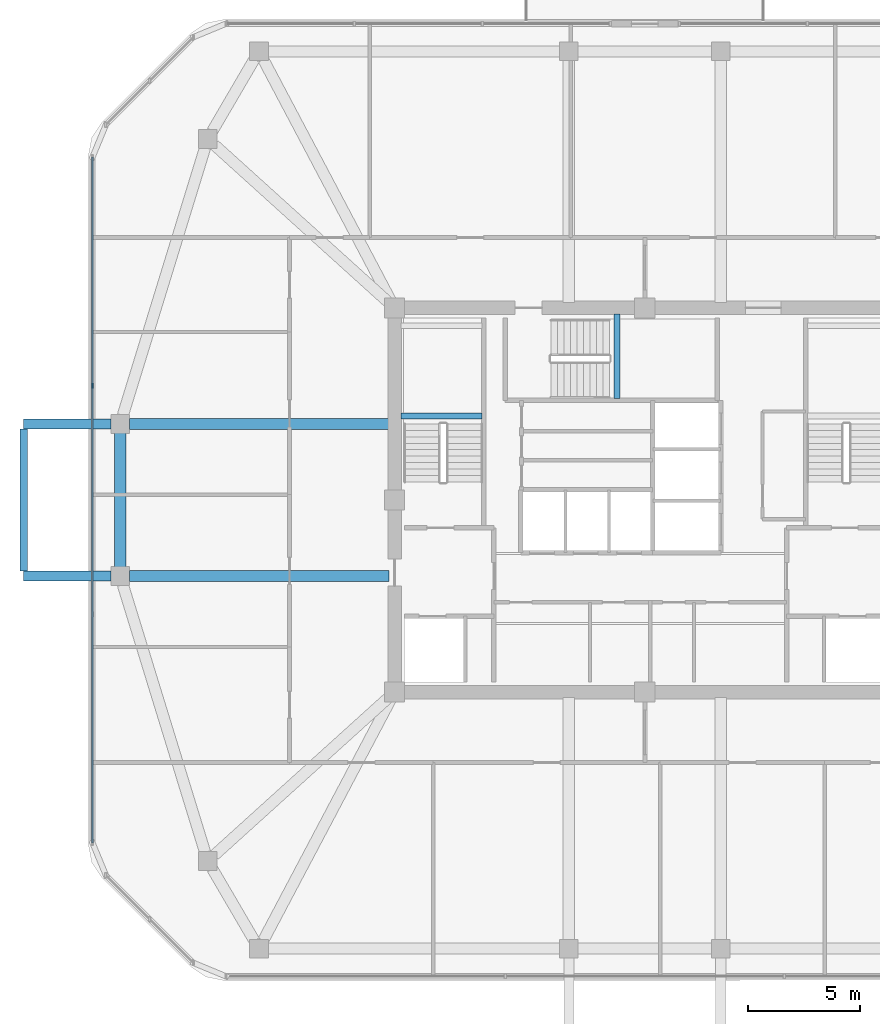
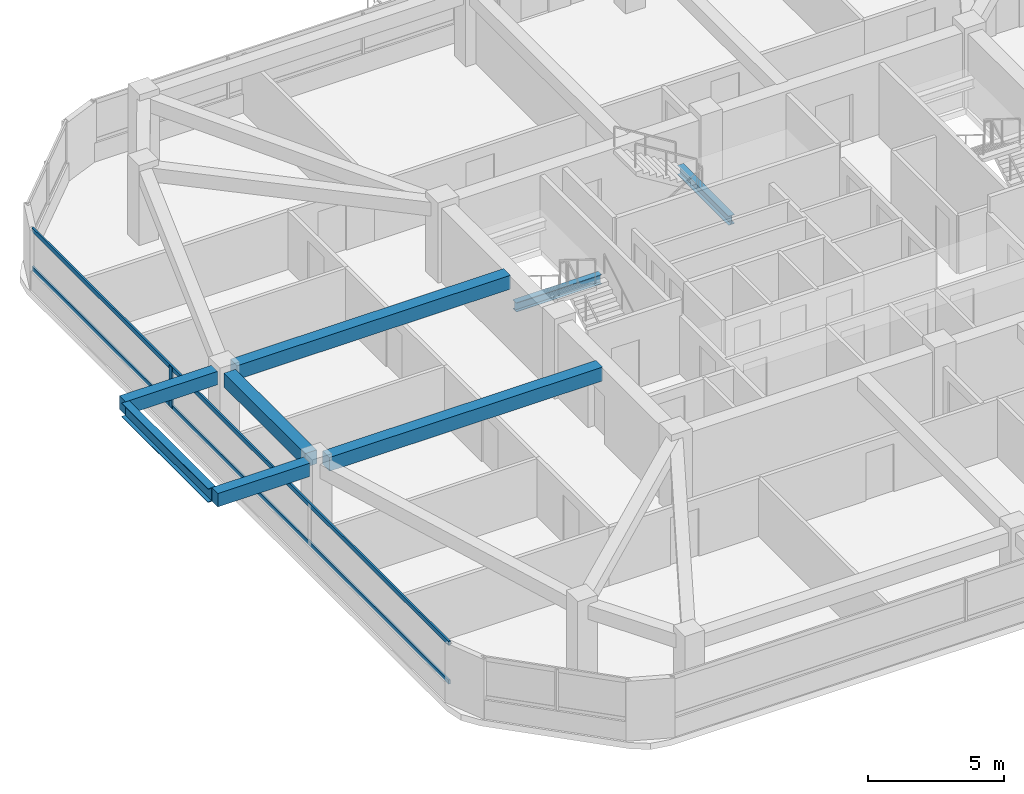
# One storey, part 4 of 14: 8 beams, 3 members, 1 element without a shape of its own.
"""IFC4 building model written with IfcOpenShell, lengths in metres."""

from ifc_helpers import new_model, si_unit, derived_unit, direction, frame, origin, origin_2d, place, context, subcontext, project, spatial, rectangle, i_section, extrude, material, material_profile, profile_set, type_object, element, aggregate, save


model = new_model("IFC4")

# Units and contexts
model_context = context("Model", 3, precision=1e-05, world=origin(), true_north=direction((0.0, 1.0)))
body_context = subcontext(model_context, "Body", "Model", "MODEL_VIEW")
ifc_project = project(units=[si_unit("LENGTHUNIT", "METRE"), si_unit("AREAUNIT", "SQUARE_METRE"), si_unit("VOLUMEUNIT", "CUBIC_METRE"), si_unit("PLANEANGLEUNIT", "RADIAN"), si_unit("MASSUNIT", "GRAM", prefix="KILO"), derived_unit("THERMALTRANSMITTANCEUNIT", [(si_unit("POWERUNIT", "WATT"), 1), (si_unit("LENGTHUNIT", "METRE"), -2), (si_unit("THERMODYNAMICTEMPERATUREUNIT", "KELVIN"), -1)])], contexts=[model_context])

# Site, building, storey
site_placement = place(None, origin())
site = spatial("IfcSite", under=ifc_project, at=site_placement, CompositionType="ELEMENT")
building_placement = place(site_placement, origin())
building = spatial("IfcBuilding", under=site, at=building_placement, Name="Koralith Skygarden Medical Center", CompositionType="ELEMENT")
storey_placement = place(building_placement, frame((0.0, 0.0, 246.419921875)))
storey = spatial("IfcBuildingStorey", under=building, at=storey_placement, Name="L63", CompositionType="ELEMENT", Elevation=246.419921875)

# Curtain wall, members
ifc_material_1 = material(Name="Clear Laminated Glass", Category="glass")
curtain_wall_type = type_object("IfcCurtainWallType", Name="CW-6 Zone 5 Upper Clinical Curtain Wall", PredefinedType="NOTDEFINED", material=ifc_material_1)
curtain_wall_placement = place(storey_placement, origin())
curtain_wall = element("IfcCurtainWall", 1, at=curtain_wall_placement, inside=storey, type_object=curtain_wall_type, Name="Curtain Wall CW-L63-W", PredefinedType="NOTDEFINED")
ifc_material_2 = material(Name="Aluminium 6063-T6", Category="aluminium")
ifc_material_profile_1 = material_profile(ifc_material_2, rectangle(XDim=0.0830078125, YDim=0.219970703125, at=origin_2d()), Name="MUL83X220")
ifc_profile_set_1 = profile_set([ifc_material_profile_1], Name="Aluminium 6063-T6")
member_type_1 = type_object("IfcMemberType", Name="CW-6 Extruded Mullion 83x220", PredefinedType="MULLION", material=ifc_profile_set_1)
member_1_placement = place(storey_placement, frame((12.280029296875, 31.014892578125, 0.85009765625), z_axis=(0.0, 0.0, 1.0), x_axis=(1.0, 0.0, 0.0)))
member_1 = element("IfcMember", 2, at=member_1_placement, type_object=member_type_1, Name="CW-L63-W Mullion 2", PredefinedType="MULLION", context=body_context, shape_type="SweptSolid", body=[
    extrude(rectangle(XDim=0.0830078125, YDim=0.219970703125, at=origin_2d()), origin(), (0.0, 0.0, 1.0), 1.840087890625),
])
ifc_material_profile_2 = material_profile(ifc_material_2, rectangle(XDim=0.077880859375, YDim=0.197998046875, at=origin_2d()), Name="TRN78X198")
ifc_profile_set_2 = profile_set([ifc_material_profile_2], Name="Aluminium 6063-T6")
member_type_2 = type_object("IfcMemberType", Name="CW-6 Thermal Transom 78x198", PredefinedType="USERDEFINED", material=ifc_profile_set_2)
member_2_placement = place(storey_placement, frame((12.280029296875, 41.2451171875, 0.900146484375), z_axis=(0.0, -1.0, 0.0), x_axis=(1.0, 0.0, 0.0)))
member_2 = element("IfcMember", 3, at=member_2_placement, type_object=member_type_2, Name="CW-L63-W Transom 1", ObjectType="TRANSOM", PredefinedType="USERDEFINED", context=body_context, shape_type="SweptSolid", body=[
    extrude(rectangle(XDim=0.077880859375, YDim=0.197998046875, at=origin_2d()), origin(), (0.0, 0.0, 1.0), 30.690185546875),
])
member_3_placement = place(storey_placement, frame((12.280029296875, 41.2451171875, 2.64013671875), z_axis=(0.0, -1.0, 0.0), x_axis=(1.0, 0.0, 0.0)))
member_3 = element("IfcMember", 4, at=member_3_placement, type_object=member_type_2, Name="CW-L63-W Transom 2", ObjectType="TRANSOM", PredefinedType="USERDEFINED", context=body_context, shape_type="SweptSolid", body=[
    extrude(rectangle(XDim=0.077880859375, YDim=0.197998046875, at=origin_2d()), origin(), (0.0, 0.0, 1.0), 30.690185546875),
])
aggregate(curtain_wall, [member_1, member_2, member_3])

# Beams
ifc_material_3 = material(Name="Steel ASTM A992 Grade 50", Category="steel")
ifc_material_profile_3 = material_profile(ifc_material_3, i_section(OverallWidth=0.326904296875, OverallDepth=0.6220703125, WebThickness=0.015380859375, FlangeThickness=0.0244140625, at=origin_2d()), Name="W24X131")
ifc_profile_set_3 = profile_set([ifc_material_profile_3], Name="Steel ASTM A992 Grade 50")
beam_type_1 = type_object("IfcBeamType", Name="Cantilever Tie Beam W24X131", PredefinedType="BEAM", material=ifc_profile_set_3)
beam_1_placement = place(storey_placement, frame((9.199951171875, 22.719970703125, 3.029052734375), z_axis=(0.0, 1.0, 0.0), x_axis=(-1.0, 0.0, 0.0)))
element("IfcBeam", 5, at=beam_1_placement, inside=storey, type_object=beam_type_1, Name="L64 W Balcony Tip Tie Beam", PredefinedType="BEAM", context=body_context, shape_type="SweptSolid", body=[
    extrude(i_section(OverallWidth=0.326904296875, OverallDepth=0.6220703125, WebThickness=0.015380859375, FlangeThickness=0.0244140625, at=origin_2d()), origin(), (0.0, 0.0, 1.0), 6.360107421875),
])
ifc_material_profile_4 = material_profile(ifc_material_3, i_section(OverallWidth=0.260009765625, OverallDepth=0.4150390625, WebThickness=0.010009765625, FlangeThickness=0.016845703125, at=origin_2d()), Name="W16X67")
ifc_profile_set_4 = profile_set([ifc_material_profile_4], Name="Steel ASTM A992 Grade 50")
beam_type_2 = type_object("IfcBeamType", Name="Clinical Floor Joist W16X67", PredefinedType="JOIST", material=ifc_profile_set_4)
beam_2_placement = place(storey_placement, frame((26.080078125, 29.659912109375, 1.39208984375), z_axis=(1.0, 0.0, 0.0), x_axis=(0.0, 1.0, 0.0)))
element("IfcBeam", 6, at=beam_2_placement, inside=storey, type_object=beam_type_2, Name="L63 Stair ST1 Half-Landing Support Beam 1A", PredefinedType="JOIST", context=body_context, shape_type="SweptSolid", body=[
    extrude(i_section(OverallWidth=0.260009765625, OverallDepth=0.4150390625, WebThickness=0.010009765625, FlangeThickness=0.016845703125, at=origin_2d()), origin(), (0.0, 0.0, 1.0), 3.639892578125),
])
beam_3_placement = place(storey_placement, frame((35.760009765625, 30.43994140625, 1.39208984375), z_axis=(0.0, 1.0, 0.0), x_axis=(-1.0, 0.0, 0.0)))
element("IfcBeam", 7, at=beam_3_placement, inside=storey, type_object=beam_type_2, Name="L63 Stair ST3 Half-Landing Support Beam 1A", PredefinedType="JOIST", context=body_context, shape_type="SweptSolid", body=[
    extrude(i_section(OverallWidth=0.260009765625, OverallDepth=0.4150390625, WebThickness=0.010009765625, FlangeThickness=0.016845703125, at=origin_2d()), origin(), (0.0, 0.0, 1.0), 3.780029296875),
])
ifc_material_4 = material(Name="Concrete C45/55", Category="concrete")
ifc_material_profile_5 = material_profile(ifc_material_4, rectangle(XDim=0.449951171875, YDim=0.60009765625, at=origin_2d()), Name="RCB450X600")
ifc_profile_set_5 = profile_set([ifc_material_profile_5], Name="Concrete C45/55")
beam_type_3 = type_object("IfcBeamType", Name="Planted Balcony Cantilever Beam RCB450X600", PredefinedType="BEAM", material=ifc_profile_set_5)
for number, where, z_axis, x_axis, name in (
    (8, (13.1201171875, 22.5, 3.0400390625), (-1.0, 0.0, 0.0), (0.0, -1.0, 0.0), "L64 W Balcony Cantilever Beam A"),
    (9, (13.1201171875, 29.300048828125, 3.0400390625), (-1.0, 0.0, 0.0), (0.0, -1.0, 0.0), "L64 W Balcony Cantilever Beam B"),
):
    element("IfcBeam", number, at=place(storey_placement, frame(where, z_axis=z_axis, x_axis=x_axis)), inside=storey, type_object=beam_type_3, Name=name, PredefinedType="BEAM", context=body_context, shape_type="SweptSolid", body=[
        extrude(rectangle(XDim=0.449951171875, YDim=0.60009765625, at=origin_2d()), origin(), (0.0, 0.0, 1.0), 3.920166015625),
    ])
ifc_material_profile_6 = material_profile(ifc_material_4, rectangle(XDim=0.5, YDim=0.6201171875, at=origin_2d()), Name="RCB500X620")
ifc_profile_set_6 = profile_set([ifc_material_profile_6], Name="Concrete C45/55")
beam_type_4 = type_object("IfcBeamType", Name="Upper Radial Collector Beam RCB500X620", PredefinedType="BEAM", material=ifc_profile_set_6)
for number, where, z_axis, x_axis, name in (
    (10, (25.550048828125, 22.5, 3.010009765625), (-1.0, 0.0, 0.0), (0.0, -1.0, 0.0), "L63 Radial Collector Beam RB-01"),
    (11, (25.550048828125, 29.300048828125, 3.010009765625), (-1.0, 0.0, 0.0), (0.0, -1.0, 0.0), "L63 Radial Collector Beam RB-16"),
):
    element("IfcBeam", number, at=place(storey_placement, frame(where, z_axis=z_axis, x_axis=x_axis)), inside=storey, type_object=beam_type_4, Name=name, PredefinedType="BEAM", context=body_context, shape_type="SweptSolid", body=[
        extrude(rectangle(XDim=0.5, YDim=0.6201171875, at=origin_2d()), origin(), (0.0, 0.0, 1.0), 11.6201171875),
    ])
ifc_material_profile_7 = material_profile(ifc_material_4, rectangle(XDim=0.5, YDim=0.6201171875, at=origin_2d()), Name="RCB500X620")
ifc_profile_set_7 = profile_set([ifc_material_profile_7], Name="Concrete C45/55")
beam_type_5 = type_object("IfcBeamType", Name="Zone 4-5 Spandrel Beam RCB500X620", PredefinedType="SPANDREL", material=ifc_profile_set_7)
beam_4_placement = place(storey_placement, frame((13.52001953125, 28.889892578125, 3.010009765625), z_axis=(0.0, -1.0, 0.0), x_axis=(1.0, 0.0, 0.0)))
element("IfcBeam", 12, at=beam_4_placement, inside=storey, type_object=beam_type_5, Name="L63 Perimeter Spandrel Beam SP-16", PredefinedType="SPANDREL", context=body_context, shape_type="SweptSolid", body=[
    extrude(rectangle(XDim=0.5, YDim=0.6201171875, at=origin_2d()), origin(), (0.0, 0.0, 1.0), 5.97998046875),
])

save(model, "model.ifc")
